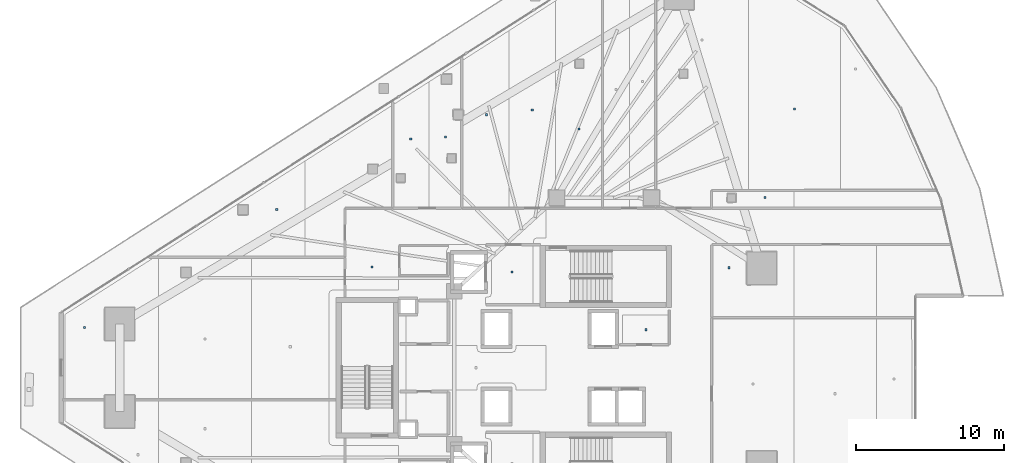
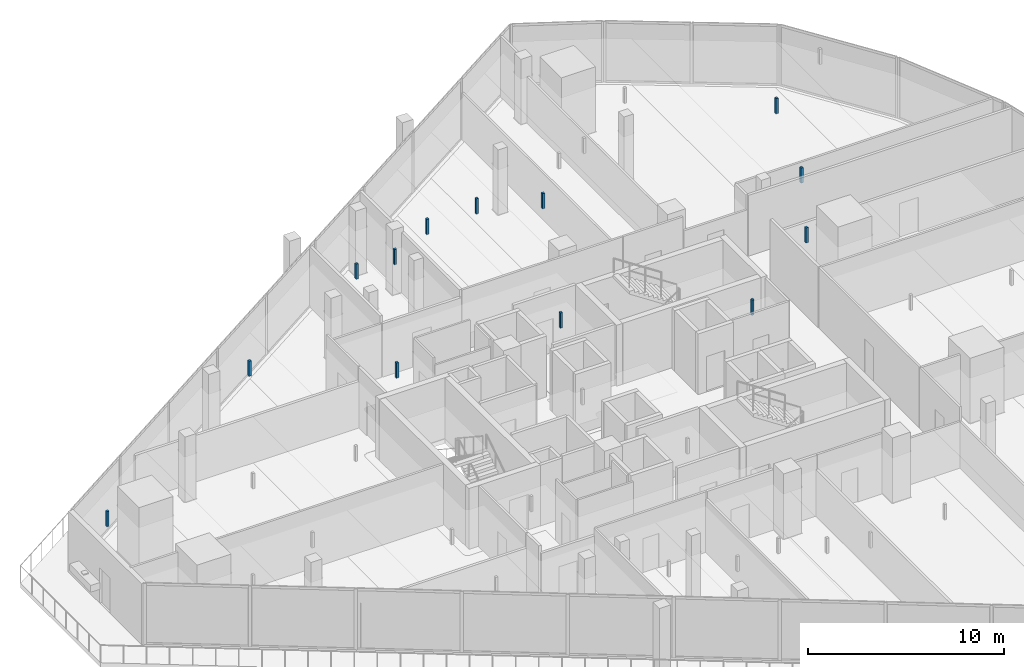
# One storey, part 29 of 38: 13 discrete accessories.
"""IFC4 building model written with IfcOpenShell, lengths in metres."""

from ifc_helpers import new_model, si_unit, direction, frame, origin, origin_2d, place, context, subcontext, project, spatial, rectangle, extrude, material, type_object, element, save


model = new_model("IFC4")

# Units and contexts
model_context = context("Model", 3, precision=1e-05, world=origin(), true_north=direction((0.0, 1.0)))
body_context = subcontext(model_context, "Body", "Model", "MODEL_VIEW")
ifc_project = project(units=[si_unit("LENGTHUNIT", "METRE"), si_unit("AREAUNIT", "SQUARE_METRE"), si_unit("VOLUMEUNIT", "CUBIC_METRE"), si_unit("PLANEANGLEUNIT", "RADIAN"), si_unit("MASSUNIT", "GRAM", prefix="KILO")], contexts=[model_context])

# Site, building, storey
site_placement = place(None, origin())
site = spatial("IfcSite", under=ifc_project, at=site_placement, CompositionType="ELEMENT")
building_placement = place(site_placement, origin())
building = spatial("IfcBuilding", under=site, at=building_placement, Name="Qorvath Tower", CompositionType="ELEMENT")
storey_placement = place(building_placement, frame((0.0, 0.0, 146.25)))
storey = spatial("IfcBuildingStorey", under=building, at=storey_placement, Name="L33", CompositionType="ELEMENT", Elevation=146.25)

# Discrete accessories
ifc_material = material(Name="Galvanised steel bracket", Category="steel")
discrete_accessory_type = type_object("IfcDiscreteAccessoryType", Name="DA-BRACKET", PredefinedType="BRACKET", material=ifc_material)
for number, where, z_axis, x_axis, name in (
    (1, (-26.590087890625, 6.449951171875, 2.85986328125), (0.0, 0.0, 1.0), (1.0, 0.0, 0.0), "Acoustic Ceiling Suspension Hanger T1-L33-001"),
    (2, (-17.572509765625, 2.5625, 2.85986328125), (0.0, 0.0, 1.0), (1.0, 0.0, 0.0), "Acoustic Ceiling Suspension Hanger T1-L33-003"),
    (3, (-36.040283203125, 6.782470703125, 2.85986328125), (0.0, 0.0, 1.0), (1.0, 0.0, 0.0), "Acoustic Ceiling Suspension Hanger T1-L33-009"),
    (4, (-33.428955078125, 15.41259765625, 2.85986328125), (0.0, 0.0, 1.0), (1.0, 0.0, 0.0), "Acoustic Ceiling Suspension Hanger T1-L33-011"),
    (5, (-31.0986328125, 15.55810546875, 2.85986328125), (0.0, 0.0, 1.0), (1.0, 0.0, 0.0), "Acoustic Ceiling Suspension Hanger T1-L33-012"),
    (6, (-28.325927734375, 17.0595703125, 2.85986328125), (0.0, 0.0, 1.0), (1.0, 0.0, 0.0), "Acoustic Ceiling Suspension Hanger T1-L33-013"),
    (7, (-25.235107421875, 17.370361328125, 2.85986328125), (0.0, 0.0, 1.0), (1.0, 0.0, 0.0), "Acoustic Ceiling Suspension Hanger T1-L33-014"),
    (8, (-22.08203125, 16.088623046875, 2.85986328125), (0.0, 0.0, 1.0), (1.0, 0.0, 0.0), "Acoustic Ceiling Suspension Hanger T1-L33-015"),
    (9, (-7.558349609375, 17.451171875, 2.85986328125), (0.0, 0.0, 1.0), (1.0, 0.0, 0.0), "Acoustic Ceiling Suspension Hanger T1-L33-019"),
    (10, (-11.979248046875, 6.74267578125, 2.85986328125), (0.0, 0.0, 1.0), (1.0, 0.0, 0.0), "Acoustic Ceiling Suspension Hanger T1-L33-035"),
    (11, (-9.535888671875, 11.47119140625, 2.85986328125), (0.0, 0.0, 1.0), (1.0, 0.0, 0.0), "Acoustic Ceiling Suspension Hanger T1-L33-036"),
    (12, (-55.416259765625, 2.725341796875, 2.85986328125), (0.0, 0.0, 1.0), (1.0, 0.0, 0.0), "Acoustic Ceiling Suspension Hanger T1-L33-043"),
    (13, (-42.4609375, 10.673583984375, 2.85986328125), (0.0, 0.0, 1.0), (1.0, 0.0, 0.0), "Acoustic Ceiling Suspension Hanger T1-L33-046"),
):
    element("IfcDiscreteAccessory", number, at=place(storey_placement, frame(where, z_axis=z_axis, x_axis=x_axis)), inside=storey, type_object=discrete_accessory_type, Name=name, PredefinedType="NOTDEFINED", context=body_context, shape_type="SweptSolid", body=[
        extrude(rectangle(XDim=0.139892578125, YDim=0.139892578125, at=origin_2d()), origin(), (0.0, 0.0, 1.0), 0.949951171875),
    ])

save(model, "model.ifc")
